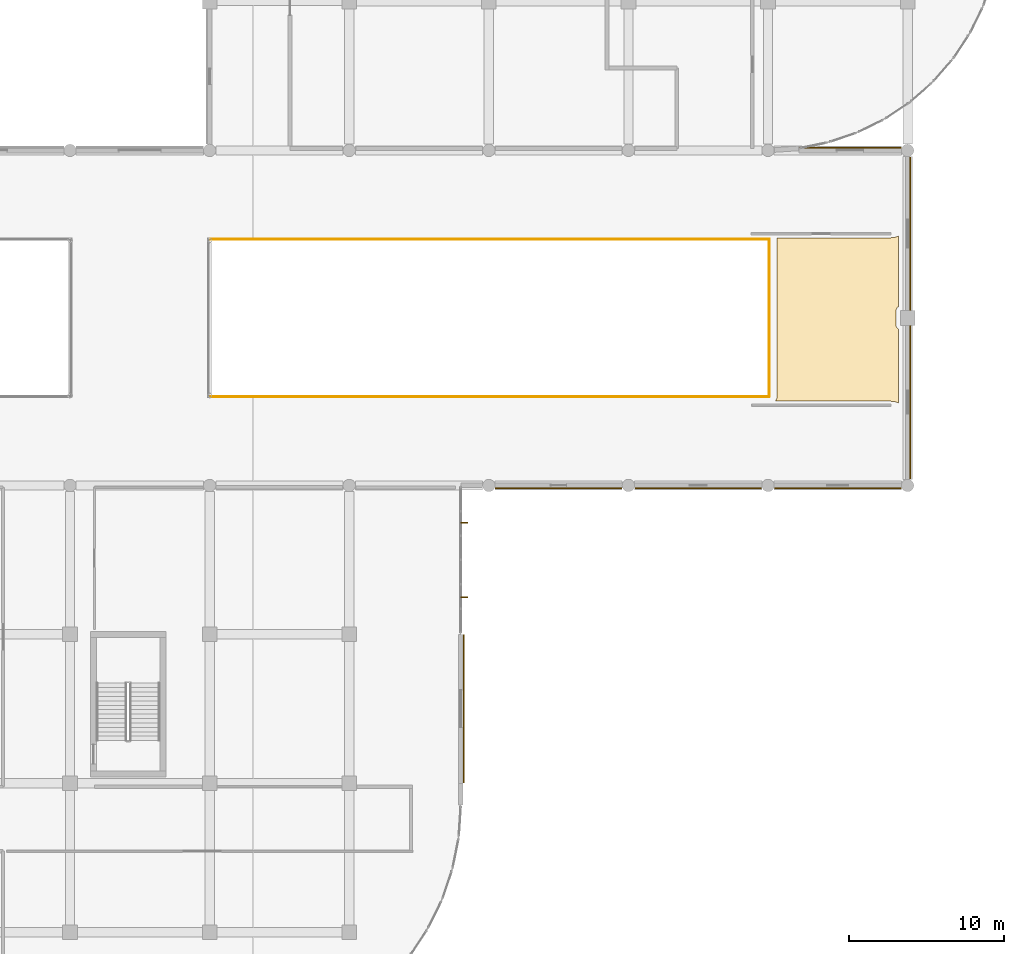
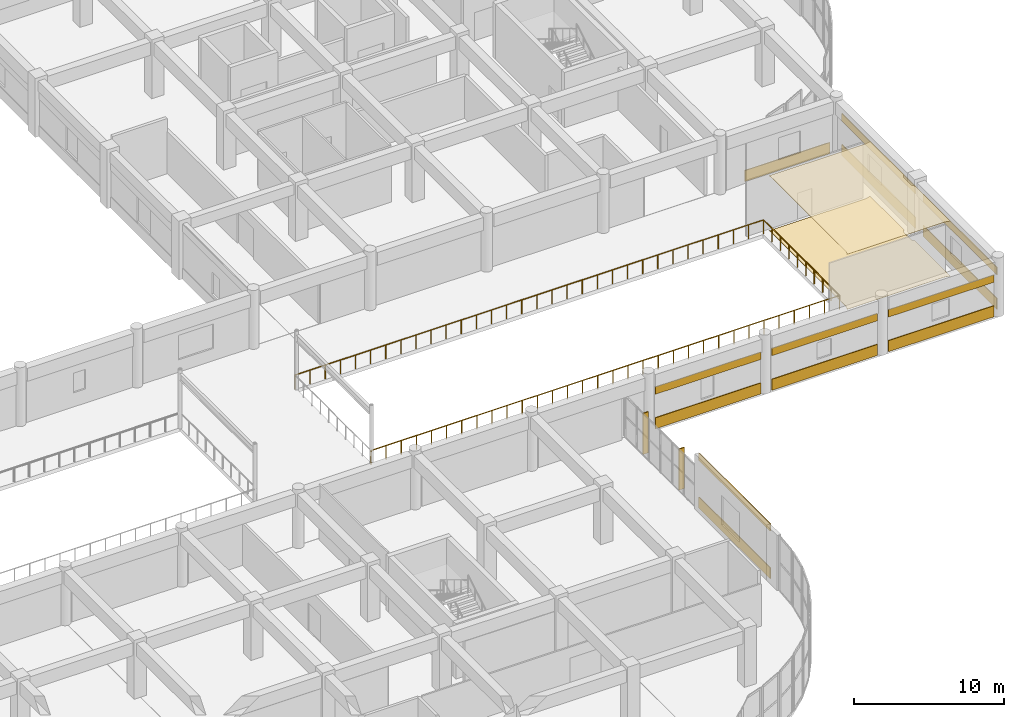
# One storey, part 83 of 86: 15 coverings, 3 railings, 2 shading devices.
"""IFC4 building model written with IfcOpenShell, lengths in metres."""

import ifcopenshell
import ifcopenshell.guid

model = None  # the IFC model being written
_history = None  # IfcOwnerHistory: only IFC2X3 demands one
_inside = {}  # id of a spatial element -> (the spatial element, [elements in it])
_under = {}  # id of a project, library or spatial element -> (it, [spatial elements below it])
_declared = {}  # id of a project -> (the project, [libraries it declares])
_typed = {}  # id of a type object -> (the type object, [elements of that type])
_made_of = {}  # id of a material, layer set ... -> (it, [elements and type objects made of it])


def new_model(schema):
    """Start an empty IFC model of exactly this schema.

    Asked for "IFC4X3", IfcOpenShell would pick the latest addendum, in which some entities
    have other attributes; the version numbers below select the first issue.
    IFC2X3 requires an IfcOwnerHistory on every rooted entity: one is made here for all.
    """
    global model, _history
    if schema == "IFC4X3":
        model = ifcopenshell.file(schema_version=(4, 3, 0, 0))
    else:
        model = ifcopenshell.file(schema=schema)
    _inside.clear()
    _under.clear()
    _declared.clear()
    _typed.clear()
    _made_of.clear()
    _history = None
    if model.schema == "IFC2X3":
        org = make("IfcOrganization", Name="unknown")
        user = make(
            "IfcPersonAndOrganization",
            ThePerson=make("IfcPerson", FamilyName="unknown"),
            TheOrganization=org,
        )
        app = make(
            "IfcApplication",
            ApplicationDeveloper=org,
            Version="unknown",
            ApplicationFullName="unknown",
            ApplicationIdentifier="unknown",
        )
        _history = make(
            "IfcOwnerHistory",
            OwningUser=user,
            OwningApplication=app,
            ChangeAction="ADDED",
            CreationDate=0,
        )
    return model


def make(cls, **values):
    """One entity of the class cls with the attributes given. An attribute that is None is left unset."""
    return model.create_entity(
        cls, **{name: value for name, value in values.items() if value is not None}
    )


def rooted(cls, **values):
    """An entity with a GlobalId (a new one), such as an element, a storey or a relation."""
    return make(cls, GlobalId=ifcopenshell.guid.new(), OwnerHistory=_history, **values)


def si_unit(unit_type, name, prefix=None):
    """IfcSIUnit, for example si_unit("LENGTHUNIT", "METRE", prefix="MILLI")."""
    return make("IfcSIUnit", UnitType=unit_type, Prefix=prefix, Name=name)


def assignment(units):
    """IfcUnitAssignment: the units of a project."""
    return None if units is None else make("IfcUnitAssignment", Units=units)


def point(xyz):
    """IfcCartesianPoint."""
    return None if xyz is None else make("IfcCartesianPoint", Coordinates=xyz)


def direction(xyz):
    """IfcDirection."""
    return None if xyz is None else make("IfcDirection", DirectionRatios=xyz)


def frame(location, z_axis=None, x_axis=None):
    """IfcAxis2Placement3D, a coordinate frame: its origin and axes. An axis left out is left unset."""
    return make(
        "IfcAxis2Placement3D",
        Location=point(location),
        Axis=direction(z_axis),
        RefDirection=direction(x_axis),
    )


def frame_2d(location, x_axis=None):
    """IfcAxis2Placement2D, a coordinate frame in the plane: its origin and x axis."""
    return make(
        "IfcAxis2Placement2D", Location=point(location), RefDirection=direction(x_axis)
    )


def origin():
    """The frame at (0, 0, 0) with its axes left unset."""
    return frame((0.0, 0.0, 0.0))


def origin_2d():
    """The frame at (0, 0) in the plane with its x axis left unset."""
    return frame_2d((0.0, 0.0))


def place(relative_to, where):
    """IfcLocalPlacement: puts the frame where relative to a parent placement (None: the world)."""
    return make(
        "IfcLocalPlacement", PlacementRelTo=relative_to, RelativePlacement=where
    )


def context(
    kind, dimensions, precision=None, world=None, true_north=None, identifier=None
):
    """IfcGeometricRepresentationContext, for example the 3D "Model" context."""
    return make(
        "IfcGeometricRepresentationContext",
        ContextIdentifier=identifier,
        ContextType=kind,
        CoordinateSpaceDimension=dimensions,
        Precision=precision,
        WorldCoordinateSystem=world,
        TrueNorth=true_north,
    )


def subcontext(parent, identifier, kind, view, scale=None):
    """IfcGeometricRepresentationSubContext, for example "Body" below "Model"."""
    return make(
        "IfcGeometricRepresentationSubContext",
        ContextIdentifier=identifier,
        ContextType=kind,
        ParentContext=parent,
        TargetScale=scale,
        TargetView=view,
    )


def project(units=None, contexts=None):
    """IfcProject with its units and contexts."""
    return rooted(
        "IfcProject",
        Name="project",
        RepresentationContexts=contexts,
        UnitsInContext=assignment(units),
    )


def spatial(cls, under=None, at=None, **own):
    """A site, building, storey or space (cls), placed at a placement, below another one or the project."""
    s = rooted(cls, ObjectPlacement=at, **own)
    if under is not None:
        _under.setdefault(under.id(), (under, []))[1].append(s)
    return s


def polyline(points):
    """IfcPolyline through the points."""
    return make("IfcPolyline", Points=[point(p) for p in points])


def profile(cls, at=None, kind="AREA", **sizes):
    """A parametric profile (cls). Its sizes go by their IFC names, for example OverallWidth=200.0."""
    return make(cls, ProfileType=kind, Position=at, **sizes)


def rectangle(**sizes):
    """IfcRectangleProfileDef."""
    return profile("IfcRectangleProfileDef", **sizes)


def circle(**sizes):
    """IfcCircleProfileDef."""
    return profile("IfcCircleProfileDef", **sizes)


def outline(outer, holes=None, kind="AREA"):
    """IfcArbitraryClosedProfileDef: a profile drawn as a closed curve; with holes, ...WithVoids."""
    if holes is None:
        return make("IfcArbitraryClosedProfileDef", ProfileType=kind, OuterCurve=outer)
    return make(
        "IfcArbitraryProfileDefWithVoids",
        ProfileType=kind,
        OuterCurve=outer,
        InnerCurves=holes,
    )


def extrude(swept, where, along, depth):
    """IfcExtrudedAreaSolid: the profile swept, set in the frame where, extruded along a direction by depth."""
    return make(
        "IfcExtrudedAreaSolid",
        SweptArea=swept,
        Position=where,
        ExtrudedDirection=direction(along),
        Depth=depth,
    )


def shape(context_of_items, identifier, shape_type, items):
    """IfcShapeRepresentation: the items that make up one representation, for example the "Body"."""
    return make(
        "IfcShapeRepresentation",
        ContextOfItems=context_of_items,
        RepresentationIdentifier=identifier,
        RepresentationType=shape_type,
        Items=items,
    )


def material(Name=None, Category=None):
    """IfcMaterial."""
    return make("IfcMaterial", Name=Name, Category=Category)


def layer(
    of_material, thickness, ventilated=None, Name=None, Category=None, Priority=None
):
    """IfcMaterialLayer: one layer of a wall or slab, of a material (None: an air gap)."""
    return make(
        "IfcMaterialLayer",
        Material=of_material,
        LayerThickness=thickness,
        IsVentilated=ventilated,
        Name=Name,
        Category=Category,
        Priority=Priority,
    )


def layer_set(layers, Name=None):
    """IfcMaterialLayerSet."""
    return make("IfcMaterialLayerSet", MaterialLayers=layers, LayerSetName=Name)


def made_of(thing, what):
    """Note that an element or type object is made of a material, layer set ...; save() writes the relation."""
    if what is not None:
        _made_of.setdefault(what.id(), (what, []))[1].append(thing)
    return thing


def type_object(cls, material=None, **own):
    """A type object (cls), such as IfcWallType, which elements share."""
    return made_of(rooted(cls, **own), material)


def element(
    cls,
    number,
    at=None,
    inside=None,
    cuts=None,
    type_object=None,
    material=None,
    context=None,
    identifier="Body",
    shape_type=None,
    held_by="IfcProductDefinitionShape",
    body=None,
    shapes=None,
    **own,
):
    """One element of the class cls, such as IfcWall. Its Tag is "e" and its number.

    at: its placement. inside: the storey or other place that contains it. cuts: it is an
    opening in that element (IfcRelVoidsElement). A single representation is given by context,
    identifier, shape_type and body (its items); several are given by shapes. held_by: the class
    of the entity that holds the representations. save() writes the other relations.
    """
    e = rooted(cls, Tag="e%d" % number, ObjectPlacement=at, **own)
    if body is not None:
        shapes = [shape(context, identifier, shape_type, body)]
    if shapes is not None:
        e.Representation = make(held_by, Representations=shapes)
    if inside is not None:
        _inside.setdefault(inside.id(), (inside, []))[1].append(e)
    if cuts is not None:
        rooted(
            "IfcRelVoidsElement", RelatingBuildingElement=cuts, RelatedOpeningElement=e
        )
    if type_object is not None:
        _typed.setdefault(type_object.id(), (type_object, []))[1].append(e)
    return made_of(e, material)


def aggregate(whole, parts):
    """IfcRelAggregates: a whole, such as a stair, and the parts it consists of."""
    return rooted("IfcRelAggregates", RelatingObject=whole, RelatedObjects=parts)


def save(model, path):
    """Write the relations noted so far, then the file.

    IfcRelAggregates (storeys below a building ...), IfcRelContainedInSpatialStructure (elements
    in a storey), IfcRelDefinesByType, IfcRelAssociatesMaterial and IfcRelDeclares: one each for
    every whole, place, type object, material and project.
    """
    for whole, parts in _under.values():
        aggregate(whole, parts)
    for where, things in _inside.values():
        rooted(
            "IfcRelContainedInSpatialStructure",
            RelatedElements=things,
            RelatingStructure=where,
        )
    for kind, things in _typed.values():
        rooted("IfcRelDefinesByType", RelatedObjects=things, RelatingType=kind)
    for what, things in _made_of.values():
        rooted("IfcRelAssociatesMaterial", RelatedObjects=things, RelatingMaterial=what)
    for by, libraries in _declared.values():
        rooted("IfcRelDeclares", RelatingContext=by, RelatedDefinitions=libraries)
    model.write(path)


model = new_model("IFC4")

# Units and contexts
model_context = context("Model", 3, precision=1e-05, world=origin(), true_north=direction((0.0, 1.0)))
body_context = subcontext(model_context, "Body", "Model", "MODEL_VIEW")
ifc_project = project(units=[si_unit("LENGTHUNIT", "METRE"), si_unit("AREAUNIT", "SQUARE_METRE"), si_unit("VOLUMEUNIT", "CUBIC_METRE"), si_unit("PLANEANGLEUNIT", "RADIAN"), si_unit("MASSUNIT", "GRAM", prefix="KILO")], contexts=[model_context])

# Site, building, storey
site_placement = place(None, origin())
site = spatial("IfcSite", under=ifc_project, at=site_placement, CompositionType="ELEMENT")
building_placement = place(site_placement, origin())
building = spatial("IfcBuilding", under=site, at=building_placement, Name="Cendralis Terraced Arcade", CompositionType="ELEMENT")
storey_placement = place(building_placement, frame((0.0, 0.0, 5.39990234375)))
storey = spatial("IfcBuildingStorey", under=building, at=storey_placement, Name="L01", CompositionType="ELEMENT", Elevation=5.39990234375)

# Coverings
ifc_material_1 = material(Name="Warm Andean oak timber", Category="wood")
ifc_layer_1 = layer(ifc_material_1, 0.034912109375, Name="COV-CEIL-OAK-35")
ifc_layer_set_1 = layer_set([ifc_layer_1], Name="Warm Andean oak timber")
covering_type_1 = type_object("IfcCoveringType", Name="COV-CEIL-OAK-35", PredefinedType="CEILING", material=ifc_layer_set_1)
covering_1_placement = place(storey_placement, frame((0.0, 0.0, 4.47021484375)))
element("IfcCovering", 1, at=covering_1_placement, inside=storey, type_object=covering_type_1, Name="Acoustic Soffit Ceiling L01-055", PredefinedType="CEILING", context=body_context, shape_type="SweptSolid", body=[
    extrude(outline(polyline([(165.1201171875, 54.3701171875), (165.123046875, 54.3701171875), (165.1259765625, 54.3701171875), (165.129150390625, 54.3701171875), (165.135009765625, 54.370361328125), (165.137939453125, 54.370361328125), (165.14111328125, 54.37060546875), (165.14404296875, 54.37060546875), (165.204833984375, 54.37353515625), (165.2109375, 54.3740234375), (165.216796875, 54.37451171875), (165.222900390625, 54.375), (165.234619140625, 54.376220703125), (165.24072265625, 54.376708984375), (165.24658203125, 54.37744140625), (165.252685546875, 54.37841796875), (165.31298828125, 54.38720703125), (165.31884765625, 54.38818359375), (165.32470703125, 54.38916015625), (165.330810546875, 54.390380859375), (165.34228515625, 54.392578125), (165.348388671875, 54.393798828125), (165.35400390625, 54.395263671875), (165.360107421875, 54.396484375), (165.4189453125, 54.411376953125), (165.425048828125, 54.412841796875), (165.4306640625, 54.41455078125), (165.4365234375, 54.416259765625), (165.44775390625, 54.419677734375), (165.45361328125, 54.42138671875), (165.459228515625, 54.42333984375), (165.465087890625, 54.42529296875), (165.522216796875, 54.44580078125), (165.528076171875, 54.447998046875), (165.53369140625, 54.4501953125), (165.539306640625, 54.452392578125), (165.55029296875, 54.456787109375), (165.555908203125, 54.459228515625), (165.561279296875, 54.461669921875), (165.56689453125, 54.464111328125), (165.610107421875, 54.484619140625), (165.610107421875, 49.919189453125), (165.608642578125, 49.918701171875), (165.5869140625, 49.906982421875), (165.58544921875, 49.906005859375), (165.56494140625, 49.892333984375), (165.5634765625, 49.891357421875), (165.54443359375, 49.875732421875), (165.54296875, 49.87451171875), (165.525634765625, 49.85693359375), (165.5244140625, 49.855712890625), (165.5087890625, 49.836669921875), (165.507568359375, 49.8349609375), (165.493896484375, 49.814697265625), (165.492919921875, 49.81298828125), (165.4814453125, 49.791259765625), (165.48046875, 49.78955078125), (165.47119140625, 49.766845703125), (165.470458984375, 49.764892578125), (165.46337890625, 49.74169921875), (165.462890625, 49.739501953125), (165.4580078125, 49.715576171875), (165.457763671875, 49.713623046875), (165.455322265625, 49.689208984375), (165.455322265625, 49.687255859375), (165.455078125, 49.675048828125), (165.455078125, 48.72509765625), (165.455322265625, 48.712646484375), (165.455322265625, 48.710693359375), (165.457763671875, 48.686279296875), (165.4580078125, 48.684326171875), (165.462890625, 48.660400390625), (165.46337890625, 48.658447265625), (165.470458984375, 48.635009765625), (165.47119140625, 48.633056640625), (165.48046875, 48.610595703125), (165.4814453125, 48.608642578125), (165.492919921875, 48.5869140625), (165.493896484375, 48.58544921875), (165.507568359375, 48.56494140625), (165.5087890625, 48.5634765625), (165.5244140625, 48.54443359375), (165.525634765625, 48.54296875), (165.54296875, 48.525634765625), (165.54443359375, 48.5244140625), (165.5634765625, 48.5087890625), (165.56494140625, 48.507568359375), (165.58544921875, 48.493896484375), (165.5869140625, 48.492919921875), (165.608642578125, 48.4814453125), (165.610107421875, 48.480712890625), (165.610107421875, 43.71533203125), (165.56689453125, 43.73583984375), (165.561279296875, 43.73828125), (165.555908203125, 43.74072265625), (165.55029296875, 43.7431640625), (165.539306640625, 43.74755859375), (165.53369140625, 43.75), (165.528076171875, 43.751953125), (165.522216796875, 43.754150390625), (165.465087890625, 43.774658203125), (165.459228515625, 43.776611328125), (165.45361328125, 43.778564453125), (165.44775390625, 43.780517578125), (165.4365234375, 43.78369140625), (165.4306640625, 43.785400390625), (165.425048828125, 43.787109375), (165.4189453125, 43.78857421875), (165.360107421875, 43.803466796875), (165.35400390625, 43.8046875), (165.348388671875, 43.80615234375), (165.34228515625, 43.807373046875), (165.330810546875, 43.809814453125), (165.32470703125, 43.810791015625), (165.31884765625, 43.811767578125), (165.31298828125, 43.812744140625), (165.252685546875, 43.82177734375), (165.24658203125, 43.822509765625), (165.24072265625, 43.8232421875), (165.234619140625, 43.823974609375), (165.222900390625, 43.8251953125), (165.216796875, 43.82568359375), (165.2109375, 43.825927734375), (165.204833984375, 43.826416015625), (165.14404296875, 43.829345703125), (165.14111328125, 43.82958984375), (165.137939453125, 43.82958984375), (165.135009765625, 43.82958984375), (165.129150390625, 43.829833984375), (165.1259765625, 43.829833984375), (165.123046875, 43.830078125), (165.1201171875, 43.830078125), (157.659423828125, 43.830078125), (157.65966796875, 43.830322265625), (157.667236328125, 43.840087890625), (157.68017578125, 43.857421875), (157.687255859375, 43.867431640625), (157.693603515625, 43.877197265625), (157.7001953125, 43.8876953125), (157.71142578125, 43.906005859375), (157.71728515625, 43.916748046875), (157.722900390625, 43.927001953125), (157.728515625, 43.93798828125), (157.73779296875, 43.95751953125), (157.74267578125, 43.96875), (157.747314453125, 43.979736328125), (157.751708984375, 43.9912109375), (157.7587890625, 44.011474609375), (157.7626953125, 44.023193359375), (157.76611328125, 44.034423828125), (157.769287109375, 44.046142578125), (157.774658203125, 44.067138671875), (157.77734375, 44.0791015625), (157.77978515625, 44.0908203125), (157.78173828125, 44.102783203125), (157.784912109375, 44.1240234375), (157.786376953125, 44.13623046875), (157.78759765625, 44.14794921875), (157.78857421875, 44.160400390625), (157.78955078125, 44.181884765625), (157.789794921875, 44.18798828125), (157.789794921875, 44.19384765625), (157.7900390625, 44.199951171875), (157.7900390625, 54.199951171875), (157.789794921875, 54.2060546875), (157.789794921875, 54.2119140625), (157.78955078125, 54.21826171875), (157.78857421875, 54.23974609375), (157.78759765625, 54.251953125), (157.786376953125, 54.263671875), (157.784912109375, 54.27587890625), (157.78173828125, 54.297119140625), (157.77978515625, 54.309326171875), (157.77734375, 54.32080078125), (157.774658203125, 54.332763671875), (157.769287109375, 54.353759765625), (157.76611328125, 54.365478515625), (157.764892578125, 54.3701171875), (165.1201171875, 54.3701171875)])), origin(), (0.0, 0.0, 1.0), 0.034912109375),
])
ifc_material_2 = material(Name="Precast concrete f'c 40 MPa", Category="concrete")
ifc_layer_2 = layer(ifc_material_2, 0.06494140625, Name="COV-CLAD-GRC-65")
ifc_layer_set_2 = layer_set([ifc_layer_2], Name="Precast concrete f'c 40 MPa")
covering_type_2 = type_object("IfcCoveringType", Name="COV-CLAD-GRC-65", PredefinedType="CLADDING", material=ifc_layer_set_2)
covering_2_placement = place(storey_placement, frame((162.494873046875, 60.179931640625, 0.000244140625), z_axis=(0.0, 0.0, 1.0), x_axis=(1.0, 0.0, 0.0)))
element("IfcCovering", 2, at=covering_2_placement, inside=storey, type_object=covering_type_2, Name="Banded Precast Stone Spandrel Cladding L01-157", PredefinedType="CLADDING", context=body_context, shape_type="SweptSolid", body=[
    extrude(rectangle(XDim=6.55419921875, YDim=0.06494140625, at=origin_2d()), origin(), (0.0, 0.0, 1.0), 0.89990234375),
])
covering_3_placement = place(storey_placement, frame((166.3798828125, 54.637451171875, 0.000244140625), z_axis=(0.0, 0.0, 1.0), x_axis=(0.0, -1.0, 0.0)))
element("IfcCovering", 3, at=covering_3_placement, inside=storey, type_object=covering_type_2, Name="Banded Precast Stone Spandrel Cladding L01-159", PredefinedType="CLADDING", context=body_context, shape_type="SweptSolid", body=[
    extrude(rectangle(XDim=9.868896484375, YDim=0.06494140625, at=origin_2d()), origin(), (0.0, 0.0, 1.0), 0.89990234375),
])
covering_4_placement = place(storey_placement, frame((166.3798828125, 54.637451171875, 2.824951171875), z_axis=(0.0, 0.0, 1.0), x_axis=(0.0, -1.0, 0.0)))
element("IfcCovering", 4, at=covering_4_placement, inside=storey, type_object=covering_type_2, Name="Banded Precast Stone Lintel Cladding L01-160", PredefinedType="CLADDING", context=body_context, shape_type="SweptSolid", body=[
    extrude(rectangle(XDim=9.868896484375, YDim=0.06494140625, at=origin_2d()), origin(), (0.0, 0.0, 1.0), 0.60009765625),
])
covering_5_placement = place(storey_placement, frame((166.3798828125, 43.762451171875, 0.000244140625), z_axis=(0.0, 0.0, 1.0), x_axis=(0.0, -1.0, 0.0)))
element("IfcCovering", 5, at=covering_5_placement, inside=storey, type_object=covering_type_2, Name="Banded Precast Stone Spandrel Cladding L01-161", PredefinedType="CLADDING", context=body_context, shape_type="SweptSolid", body=[
    extrude(rectangle(XDim=9.868896484375, YDim=0.06494140625, at=origin_2d()), origin(), (0.0, 0.0, 1.0), 0.89990234375),
])
covering_6_placement = place(storey_placement, frame((166.3798828125, 43.762451171875, 2.824951171875), z_axis=(0.0, 0.0, 1.0), x_axis=(0.0, -1.0, 0.0)))
element("IfcCovering", 6, at=covering_6_placement, inside=storey, type_object=covering_type_2, Name="Banded Precast Stone Lintel Cladding L01-162", PredefinedType="CLADDING", context=body_context, shape_type="SweptSolid", body=[
    extrude(rectangle(XDim=9.868896484375, YDim=0.06494140625, at=origin_2d()), origin(), (0.0, 0.0, 1.0), 0.60009765625),
])
covering_7_placement = place(storey_placement, frame((161.699951171875, 38.219970703125, 0.000244140625), z_axis=(0.0, 0.0, 1.0), x_axis=(-1.0, 0.0, 0.0)))
element("IfcCovering", 7, at=covering_7_placement, inside=storey, type_object=covering_type_2, Name="Banded Precast Stone Spandrel Cladding L01-163", PredefinedType="CLADDING", context=body_context, shape_type="SweptSolid", body=[
    extrude(rectangle(XDim=8.14404296875, YDim=0.06494140625, at=origin_2d()), origin(), (0.0, 0.0, 1.0), 0.89990234375),
])
covering_8_placement = place(storey_placement, frame((161.699951171875, 38.219970703125, 2.824951171875), z_axis=(0.0, 0.0, 1.0), x_axis=(-1.0, 0.0, 0.0)))
element("IfcCovering", 8, at=covering_8_placement, inside=storey, type_object=covering_type_2, Name="Banded Precast Stone Lintel Cladding L01-164", PredefinedType="CLADDING", context=body_context, shape_type="SweptSolid", body=[
    extrude(rectangle(XDim=8.14404296875, YDim=0.06494140625, at=origin_2d()), origin(), (0.0, 0.0, 1.0), 0.60009765625),
])
covering_9_placement = place(storey_placement, frame((152.699951171875, 38.219970703125, 0.000244140625), z_axis=(0.0, 0.0, 1.0), x_axis=(-1.0, 0.0, 0.0)))
element("IfcCovering", 9, at=covering_9_placement, inside=storey, type_object=covering_type_2, Name="Banded Precast Stone Spandrel Cladding L01-165", PredefinedType="CLADDING", context=body_context, shape_type="SweptSolid", body=[
    extrude(rectangle(XDim=8.14404296875, YDim=0.06494140625, at=origin_2d()), origin(), (0.0, 0.0, 1.0), 0.89990234375),
])
covering_10_placement = place(storey_placement, frame((152.699951171875, 38.219970703125, 2.824951171875), z_axis=(0.0, 0.0, 1.0), x_axis=(-1.0, 0.0, 0.0)))
element("IfcCovering", 10, at=covering_10_placement, inside=storey, type_object=covering_type_2, Name="Banded Precast Stone Lintel Cladding L01-166", PredefinedType="CLADDING", context=body_context, shape_type="SweptSolid", body=[
    extrude(rectangle(XDim=8.14404296875, YDim=0.06494140625, at=origin_2d()), origin(), (0.0, 0.0, 1.0), 0.60009765625),
])
covering_11_placement = place(storey_placement, frame((143.699951171875, 38.219970703125, 0.000244140625), z_axis=(0.0, 0.0, 1.0), x_axis=(-1.0, 0.0, 0.0)))
element("IfcCovering", 11, at=covering_11_placement, inside=storey, type_object=covering_type_2, Name="Banded Precast Stone Spandrel Cladding L01-167", PredefinedType="CLADDING", context=body_context, shape_type="SweptSolid", body=[
    extrude(rectangle(XDim=8.14404296875, YDim=0.06494140625, at=origin_2d()), origin(), (0.0, 0.0, 1.0), 0.89990234375),
])
covering_12_placement = place(storey_placement, frame((143.699951171875, 38.219970703125, 2.824951171875), z_axis=(0.0, 0.0, 1.0), x_axis=(-1.0, 0.0, 0.0)))
element("IfcCovering", 12, at=covering_12_placement, inside=storey, type_object=covering_type_2, Name="Banded Precast Stone Lintel Cladding L01-168", PredefinedType="CLADDING", context=body_context, shape_type="SweptSolid", body=[
    extrude(rectangle(XDim=8.14404296875, YDim=0.06494140625, at=origin_2d()), origin(), (0.0, 0.0, 1.0), 0.60009765625),
])
covering_13_placement = place(storey_placement, frame((137.574951171875, 24.0, 0.000244140625), z_axis=(0.0, 0.0, 1.0), x_axis=(0.0, -1.0, 0.0)))
element("IfcCovering", 13, at=covering_13_placement, inside=storey, type_object=covering_type_2, Name="Banded Precast Stone Spandrel Cladding L01-169", PredefinedType="CLADDING", context=body_context, shape_type="SweptSolid", body=[
    extrude(rectangle(XDim=9.5400390625, YDim=0.06494140625, at=origin_2d()), origin(), (0.0, 0.0, 1.0), 0.89990234375),
])
covering_14_placement = place(storey_placement, frame((137.574951171875, 24.0, 3.885009765625), z_axis=(0.0, 0.0, 1.0), x_axis=(0.0, -1.0, 0.0)))
element("IfcCovering", 14, at=covering_14_placement, inside=storey, type_object=covering_type_2, Name="Banded Precast Stone Lintel Cladding L01-170", PredefinedType="CLADDING", context=body_context, shape_type="SweptSolid", body=[
    extrude(rectangle(XDim=9.5400390625, YDim=0.06494140625, at=origin_2d()), origin(), (0.0, 0.0, 1.0), 0.60009765625),
])
ifc_layer_3 = layer(ifc_material_1, 0.02197265625, Name="COV-FLR-OAK-22")
ifc_layer_set_3 = layer_set([ifc_layer_3], Name="Warm Andean oak timber")
covering_type_3 = type_object("IfcCoveringType", Name="COV-FLR-OAK-22", PredefinedType="FLOORING", material=ifc_layer_set_3)
covering_15_placement = place(storey_placement, origin())
element("IfcCovering", 15, at=covering_15_placement, inside=storey, type_object=covering_type_3, Name="Interior Finish Flooring L01-055", PredefinedType="FLOORING", context=body_context, shape_type="SweptSolid", body=[
    extrude(outline(polyline([(165.1201171875, 54.3701171875), (165.123046875, 54.3701171875), (165.1259765625, 54.3701171875), (165.129150390625, 54.3701171875), (165.135009765625, 54.370361328125), (165.137939453125, 54.370361328125), (165.14111328125, 54.37060546875), (165.14404296875, 54.37060546875), (165.204833984375, 54.37353515625), (165.2109375, 54.3740234375), (165.216796875, 54.37451171875), (165.222900390625, 54.375), (165.234619140625, 54.376220703125), (165.24072265625, 54.376708984375), (165.24658203125, 54.37744140625), (165.252685546875, 54.37841796875), (165.31298828125, 54.38720703125), (165.31884765625, 54.38818359375), (165.32470703125, 54.38916015625), (165.330810546875, 54.390380859375), (165.34228515625, 54.392578125), (165.348388671875, 54.393798828125), (165.35400390625, 54.395263671875), (165.360107421875, 54.396484375), (165.4189453125, 54.411376953125), (165.425048828125, 54.412841796875), (165.4306640625, 54.41455078125), (165.4365234375, 54.416259765625), (165.44775390625, 54.419677734375), (165.45361328125, 54.42138671875), (165.459228515625, 54.42333984375), (165.465087890625, 54.42529296875), (165.522216796875, 54.44580078125), (165.528076171875, 54.447998046875), (165.53369140625, 54.4501953125), (165.539306640625, 54.452392578125), (165.55029296875, 54.456787109375), (165.555908203125, 54.459228515625), (165.561279296875, 54.461669921875), (165.56689453125, 54.464111328125), (165.610107421875, 54.484619140625), (165.610107421875, 49.919189453125), (165.608642578125, 49.918701171875), (165.5869140625, 49.906982421875), (165.58544921875, 49.906005859375), (165.56494140625, 49.892333984375), (165.5634765625, 49.891357421875), (165.54443359375, 49.875732421875), (165.54296875, 49.87451171875), (165.525634765625, 49.85693359375), (165.5244140625, 49.855712890625), (165.5087890625, 49.836669921875), (165.507568359375, 49.8349609375), (165.493896484375, 49.814697265625), (165.492919921875, 49.81298828125), (165.4814453125, 49.791259765625), (165.48046875, 49.78955078125), (165.47119140625, 49.766845703125), (165.470458984375, 49.764892578125), (165.46337890625, 49.74169921875), (165.462890625, 49.739501953125), (165.4580078125, 49.715576171875), (165.457763671875, 49.713623046875), (165.455322265625, 49.689208984375), (165.455322265625, 49.687255859375), (165.455078125, 49.675048828125), (165.455078125, 48.72509765625), (165.455322265625, 48.712646484375), (165.455322265625, 48.710693359375), (165.457763671875, 48.686279296875), (165.4580078125, 48.684326171875), (165.462890625, 48.660400390625), (165.46337890625, 48.658447265625), (165.470458984375, 48.635009765625), (165.47119140625, 48.633056640625), (165.48046875, 48.610595703125), (165.4814453125, 48.608642578125), (165.492919921875, 48.5869140625), (165.493896484375, 48.58544921875), (165.507568359375, 48.56494140625), (165.5087890625, 48.5634765625), (165.5244140625, 48.54443359375), (165.525634765625, 48.54296875), (165.54296875, 48.525634765625), (165.54443359375, 48.5244140625), (165.5634765625, 48.5087890625), (165.56494140625, 48.507568359375), (165.58544921875, 48.493896484375), (165.5869140625, 48.492919921875), (165.608642578125, 48.4814453125), (165.610107421875, 48.480712890625), (165.610107421875, 43.71533203125), (165.56689453125, 43.73583984375), (165.561279296875, 43.73828125), (165.555908203125, 43.74072265625), (165.55029296875, 43.7431640625), (165.539306640625, 43.74755859375), (165.53369140625, 43.75), (165.528076171875, 43.751953125), (165.522216796875, 43.754150390625), (165.465087890625, 43.774658203125), (165.459228515625, 43.776611328125), (165.45361328125, 43.778564453125), (165.44775390625, 43.780517578125), (165.4365234375, 43.78369140625), (165.4306640625, 43.785400390625), (165.425048828125, 43.787109375), (165.4189453125, 43.78857421875), (165.360107421875, 43.803466796875), (165.35400390625, 43.8046875), (165.348388671875, 43.80615234375), (165.34228515625, 43.807373046875), (165.330810546875, 43.809814453125), (165.32470703125, 43.810791015625), (165.31884765625, 43.811767578125), (165.31298828125, 43.812744140625), (165.252685546875, 43.82177734375), (165.24658203125, 43.822509765625), (165.24072265625, 43.8232421875), (165.234619140625, 43.823974609375), (165.222900390625, 43.8251953125), (165.216796875, 43.82568359375), (165.2109375, 43.825927734375), (165.204833984375, 43.826416015625), (165.14404296875, 43.829345703125), (165.14111328125, 43.82958984375), (165.137939453125, 43.82958984375), (165.135009765625, 43.82958984375), (165.129150390625, 43.829833984375), (165.1259765625, 43.829833984375), (165.123046875, 43.830078125), (165.1201171875, 43.830078125), (157.659423828125, 43.830078125), (157.65966796875, 43.830322265625), (157.667236328125, 43.840087890625), (157.68017578125, 43.857421875), (157.687255859375, 43.867431640625), (157.693603515625, 43.877197265625), (157.7001953125, 43.8876953125), (157.71142578125, 43.906005859375), (157.71728515625, 43.916748046875), (157.722900390625, 43.927001953125), (157.728515625, 43.93798828125), (157.73779296875, 43.95751953125), (157.74267578125, 43.96875), (157.747314453125, 43.979736328125), (157.751708984375, 43.9912109375), (157.7587890625, 44.011474609375), (157.7626953125, 44.023193359375), (157.76611328125, 44.034423828125), (157.769287109375, 44.046142578125), (157.774658203125, 44.067138671875), (157.77734375, 44.0791015625), (157.77978515625, 44.0908203125), (157.78173828125, 44.102783203125), (157.784912109375, 44.1240234375), (157.786376953125, 44.13623046875), (157.78759765625, 44.14794921875), (157.78857421875, 44.160400390625), (157.78955078125, 44.181884765625), (157.789794921875, 44.18798828125), (157.789794921875, 44.19384765625), (157.7900390625, 44.199951171875), (157.7900390625, 54.199951171875), (157.789794921875, 54.2060546875), (157.789794921875, 54.2119140625), (157.78955078125, 54.21826171875), (157.78857421875, 54.23974609375), (157.78759765625, 54.251953125), (157.786376953125, 54.263671875), (157.784912109375, 54.27587890625), (157.78173828125, 54.297119140625), (157.77978515625, 54.309326171875), (157.77734375, 54.32080078125), (157.774658203125, 54.332763671875), (157.769287109375, 54.353759765625), (157.76611328125, 54.365478515625), (157.764892578125, 54.3701171875), (165.1201171875, 54.3701171875)])), origin(), (0.0, 0.0, 1.0), 0.022216796875),
])

# Railings
ifc_material_3 = material(Name="Brushed stainless steel AISI 316", Category="steel")
railing_type = type_object("IfcRailingType", Name="RL-VOID-BAL-1150", PredefinedType="BALUSTRADE", material=ifc_material_3)
railing_1_placement = place(storey_placement, frame((121.1201171875, 44.1201171875, 0.0)))
element("IfcRailing", 16, at=railing_1_placement, inside=storey, type_object=railing_type, Name="Atrium and Arcade Gallery Balustrade L01-044", PredefinedType="BALUSTRADE", context=body_context, shape_type="SweptSolid", body=[
    extrude(circle(Radius=0.02392578125, at=origin_2d()), frame((0.0, 0.0, 1.1259765625), z_axis=(1.0, 0.0, 0.0), x_axis=(0.0, 1.0, 0.0)), (0.0, 0.0, 1.0), 36.159912109375),
    extrude(circle(Radius=0.02099609375, at=origin_2d()), origin(), (0.0, 0.0, 1.0), 1.101806640625),
    extrude(circle(Radius=0.02099609375, at=origin_2d()), frame((1.16650390625, 0.0, 0.0)), (0.0, 0.0, 1.0), 1.101806640625),
    extrude(circle(Radius=0.02099609375, at=origin_2d()), frame((2.3330078125, 0.0, 0.0)), (0.0, 0.0, 1.0), 1.101806640625),
    extrude(circle(Radius=0.02099609375, at=origin_2d()), frame((3.499267578125, 0.0, 0.0)), (0.0, 0.0, 1.0), 1.101806640625),
    extrude(circle(Radius=0.02099609375, at=origin_2d()), frame((4.665771484375, 0.0, 0.0)), (0.0, 0.0, 1.0), 1.101806640625),
    extrude(circle(Radius=0.02099609375, at=origin_2d()), frame((5.832275390625, 0.0, 0.0)), (0.0, 0.0, 1.0), 1.101806640625),
    extrude(circle(Radius=0.02099609375, at=origin_2d()), frame((6.998779296875, 0.0, 0.0)), (0.0, 0.0, 1.0), 1.101806640625),
    extrude(circle(Radius=0.02099609375, at=origin_2d()), frame((8.1650390625, 0.0, 0.0)), (0.0, 0.0, 1.0), 1.101806640625),
    extrude(circle(Radius=0.02099609375, at=origin_2d()), frame((9.33154296875, 0.0, 0.0)), (0.0, 0.0, 1.0), 1.101806640625),
    extrude(circle(Radius=0.02099609375, at=origin_2d()), frame((10.498046875, 0.0, 0.0)), (0.0, 0.0, 1.0), 1.101806640625),
    extrude(circle(Radius=0.02099609375, at=origin_2d()), frame((11.66455078125, 0.0, 0.0)), (0.0, 0.0, 1.0), 1.101806640625),
    extrude(circle(Radius=0.02099609375, at=origin_2d()), frame((12.8310546875, 0.0, 0.0)), (0.0, 0.0, 1.0), 1.101806640625),
    extrude(circle(Radius=0.02099609375, at=origin_2d()), frame((13.997314453125, 0.0, 0.0)), (0.0, 0.0, 1.0), 1.101806640625),
    extrude(circle(Radius=0.02099609375, at=origin_2d()), frame((15.163818359375, 0.0, 0.0)), (0.0, 0.0, 1.0), 1.101806640625),
    extrude(circle(Radius=0.02099609375, at=origin_2d()), frame((16.330322265625, 0.0, 0.0)), (0.0, 0.0, 1.0), 1.101806640625),
    extrude(circle(Radius=0.02099609375, at=origin_2d()), frame((17.496826171875, 0.0, 0.0)), (0.0, 0.0, 1.0), 1.101806640625),
    extrude(circle(Radius=0.02099609375, at=origin_2d()), frame((18.6630859375, 0.0, 0.0)), (0.0, 0.0, 1.0), 1.101806640625),
    extrude(circle(Radius=0.02099609375, at=origin_2d()), frame((19.82958984375, 0.0, 0.0)), (0.0, 0.0, 1.0), 1.101806640625),
    extrude(circle(Radius=0.02099609375, at=origin_2d()), frame((20.99609375, 0.0, 0.0)), (0.0, 0.0, 1.0), 1.101806640625),
    extrude(circle(Radius=0.02099609375, at=origin_2d()), frame((22.16259765625, 0.0, 0.0)), (0.0, 0.0, 1.0), 1.101806640625),
    extrude(circle(Radius=0.02099609375, at=origin_2d()), frame((23.328857421875, 0.0, 0.0)), (0.0, 0.0, 1.0), 1.101806640625),
    extrude(circle(Radius=0.02099609375, at=origin_2d()), frame((24.495361328125, 0.0, 0.0)), (0.0, 0.0, 1.0), 1.101806640625),
    extrude(circle(Radius=0.02099609375, at=origin_2d()), frame((25.661865234375, 0.0, 0.0)), (0.0, 0.0, 1.0), 1.101806640625),
    extrude(circle(Radius=0.02099609375, at=origin_2d()), frame((26.828369140625, 0.0, 0.0)), (0.0, 0.0, 1.0), 1.101806640625),
    extrude(circle(Radius=0.02099609375, at=origin_2d()), frame((27.994873046875, 0.0, 0.0)), (0.0, 0.0, 1.0), 1.101806640625),
    extrude(circle(Radius=0.02099609375, at=origin_2d()), frame((29.1611328125, 0.0, 0.0)), (0.0, 0.0, 1.0), 1.101806640625),
    extrude(circle(Radius=0.02099609375, at=origin_2d()), frame((30.32763671875, 0.0, 0.0)), (0.0, 0.0, 1.0), 1.101806640625),
    extrude(circle(Radius=0.02099609375, at=origin_2d()), frame((31.494140625, 0.0, 0.0)), (0.0, 0.0, 1.0), 1.101806640625),
    extrude(circle(Radius=0.02099609375, at=origin_2d()), frame((32.66064453125, 0.0, 0.0)), (0.0, 0.0, 1.0), 1.101806640625),
    extrude(circle(Radius=0.02099609375, at=origin_2d()), frame((33.826904296875, 0.0, 0.0)), (0.0, 0.0, 1.0), 1.101806640625),
    extrude(circle(Radius=0.02099609375, at=origin_2d()), frame((34.993408203125, 0.0, 0.0)), (0.0, 0.0, 1.0), 1.101806640625),
    extrude(circle(Radius=0.02099609375, at=origin_2d()), frame((36.159912109375, 0.0, 0.0)), (0.0, 0.0, 1.0), 1.101806640625),
])
railing_2_placement = place(storey_placement, frame((157.280029296875, 44.1201171875, 0.0)))
element("IfcRailing", 17, at=railing_2_placement, inside=storey, type_object=railing_type, Name="Atrium and Arcade Gallery Balustrade L01-045", PredefinedType="BALUSTRADE", context=body_context, shape_type="SweptSolid", body=[
    extrude(circle(Radius=0.02392578125, at=origin_2d()), frame((0.0, 0.0, 1.1259765625), z_axis=(0.0, 1.0, 0.0), x_axis=(-1.0, 0.0, 0.0)), (0.0, 0.0, 1.0), 10.159912109375),
    extrude(circle(Radius=0.02099609375, at=origin_2d()), origin(), (0.0, 0.0, 1.0), 1.101806640625),
    extrude(circle(Radius=0.02099609375, at=origin_2d()), frame((0.0, 1.12890625, 0.0)), (0.0, 0.0, 1.0), 1.101806640625),
    extrude(circle(Radius=0.02099609375, at=origin_2d()), frame((0.0, 2.2578125, 0.0)), (0.0, 0.0, 1.0), 1.101806640625),
    extrude(circle(Radius=0.02099609375, at=origin_2d()), frame((0.0, 3.38671875, 0.0)), (0.0, 0.0, 1.0), 1.101806640625),
    extrude(circle(Radius=0.02099609375, at=origin_2d()), frame((0.0, 4.515625, 0.0)), (0.0, 0.0, 1.0), 1.101806640625),
    extrude(circle(Radius=0.02099609375, at=origin_2d()), frame((0.0, 5.644287109375, 0.0)), (0.0, 0.0, 1.0), 1.101806640625),
    extrude(circle(Radius=0.02099609375, at=origin_2d()), frame((0.0, 6.773193359375, 0.0)), (0.0, 0.0, 1.0), 1.101806640625),
    extrude(circle(Radius=0.02099609375, at=origin_2d()), frame((0.0, 7.902099609375, 0.0)), (0.0, 0.0, 1.0), 1.101806640625),
    extrude(circle(Radius=0.02099609375, at=origin_2d()), frame((0.0, 9.031005859375, 0.0)), (0.0, 0.0, 1.0), 1.101806640625),
    extrude(circle(Radius=0.02099609375, at=origin_2d()), frame((0.0, 10.159912109375, 0.0)), (0.0, 0.0, 1.0), 1.101806640625),
])
railing_3_placement = place(storey_placement, frame((157.280029296875, 54.280029296875, 0.0)))
element("IfcRailing", 18, at=railing_3_placement, inside=storey, type_object=railing_type, Name="Atrium and Arcade Gallery Balustrade L01-046", PredefinedType="BALUSTRADE", context=body_context, shape_type="SweptSolid", body=[
    extrude(circle(Radius=0.02392578125, at=origin_2d()), frame((0.0, 0.0, 1.1259765625), z_axis=(-1.0, 0.0, 0.0), x_axis=(0.0, -1.0, 0.0)), (0.0, 0.0, 1.0), 36.159912109375),
    extrude(circle(Radius=0.02099609375, at=origin_2d()), origin(), (0.0, 0.0, 1.0), 1.101806640625),
    extrude(circle(Radius=0.02099609375, at=origin_2d()), frame((-1.16650390625, 0.0, 0.0)), (0.0, 0.0, 1.0), 1.101806640625),
    extrude(circle(Radius=0.02099609375, at=origin_2d()), frame((-2.3330078125, 0.0, 0.0)), (0.0, 0.0, 1.0), 1.101806640625),
    extrude(circle(Radius=0.02099609375, at=origin_2d()), frame((-3.499267578125, 0.0, 0.0)), (0.0, 0.0, 1.0), 1.101806640625),
    extrude(circle(Radius=0.02099609375, at=origin_2d()), frame((-4.665771484375, 0.0, 0.0)), (0.0, 0.0, 1.0), 1.101806640625),
    extrude(circle(Radius=0.02099609375, at=origin_2d()), frame((-5.832275390625, 0.0, 0.0)), (0.0, 0.0, 1.0), 1.101806640625),
    extrude(circle(Radius=0.02099609375, at=origin_2d()), frame((-6.998779296875, 0.0, 0.0)), (0.0, 0.0, 1.0), 1.101806640625),
    extrude(circle(Radius=0.02099609375, at=origin_2d()), frame((-8.1650390625, 0.0, 0.0)), (0.0, 0.0, 1.0), 1.101806640625),
    extrude(circle(Radius=0.02099609375, at=origin_2d()), frame((-9.33154296875, 0.0, 0.0)), (0.0, 0.0, 1.0), 1.101806640625),
    extrude(circle(Radius=0.02099609375, at=origin_2d()), frame((-10.498046875, 0.0, 0.0)), (0.0, 0.0, 1.0), 1.101806640625),
    extrude(circle(Radius=0.02099609375, at=origin_2d()), frame((-11.66455078125, 0.0, 0.0)), (0.0, 0.0, 1.0), 1.101806640625),
    extrude(circle(Radius=0.02099609375, at=origin_2d()), frame((-12.8310546875, 0.0, 0.0)), (0.0, 0.0, 1.0), 1.101806640625),
    extrude(circle(Radius=0.02099609375, at=origin_2d()), frame((-13.997314453125, 0.0, 0.0)), (0.0, 0.0, 1.0), 1.101806640625),
    extrude(circle(Radius=0.02099609375, at=origin_2d()), frame((-15.163818359375, 0.0, 0.0)), (0.0, 0.0, 1.0), 1.101806640625),
    extrude(circle(Radius=0.02099609375, at=origin_2d()), frame((-16.330322265625, 0.0, 0.0)), (0.0, 0.0, 1.0), 1.101806640625),
    extrude(circle(Radius=0.02099609375, at=origin_2d()), frame((-17.496826171875, 0.0, 0.0)), (0.0, 0.0, 1.0), 1.101806640625),
    extrude(circle(Radius=0.02099609375, at=origin_2d()), frame((-18.6630859375, 0.0, 0.0)), (0.0, 0.0, 1.0), 1.101806640625),
    extrude(circle(Radius=0.02099609375, at=origin_2d()), frame((-19.82958984375, 0.0, 0.0)), (0.0, 0.0, 1.0), 1.101806640625),
    extrude(circle(Radius=0.02099609375, at=origin_2d()), frame((-20.99609375, 0.0, 0.0)), (0.0, 0.0, 1.0), 1.101806640625),
    extrude(circle(Radius=0.02099609375, at=origin_2d()), frame((-22.16259765625, 0.0, 0.0)), (0.0, 0.0, 1.0), 1.101806640625),
    extrude(circle(Radius=0.02099609375, at=origin_2d()), frame((-23.328857421875, 0.0, 0.0)), (0.0, 0.0, 1.0), 1.101806640625),
    extrude(circle(Radius=0.02099609375, at=origin_2d()), frame((-24.495361328125, 0.0, 0.0)), (0.0, 0.0, 1.0), 1.101806640625),
    extrude(circle(Radius=0.02099609375, at=origin_2d()), frame((-25.661865234375, 0.0, 0.0)), (0.0, 0.0, 1.0), 1.101806640625),
    extrude(circle(Radius=0.02099609375, at=origin_2d()), frame((-26.828369140625, 0.0, 0.0)), (0.0, 0.0, 1.0), 1.101806640625),
    extrude(circle(Radius=0.02099609375, at=origin_2d()), frame((-27.994873046875, 0.0, 0.0)), (0.0, 0.0, 1.0), 1.101806640625),
    extrude(circle(Radius=0.02099609375, at=origin_2d()), frame((-29.1611328125, 0.0, 0.0)), (0.0, 0.0, 1.0), 1.101806640625),
    extrude(circle(Radius=0.02099609375, at=origin_2d()), frame((-30.32763671875, 0.0, 0.0)), (0.0, 0.0, 1.0), 1.101806640625),
    extrude(circle(Radius=0.02099609375, at=origin_2d()), frame((-31.494140625, 0.0, 0.0)), (0.0, 0.0, 1.0), 1.101806640625),
    extrude(circle(Radius=0.02099609375, at=origin_2d()), frame((-32.66064453125, 0.0, 0.0)), (0.0, 0.0, 1.0), 1.101806640625),
    extrude(circle(Radius=0.02099609375, at=origin_2d()), frame((-33.826904296875, 0.0, 0.0)), (0.0, 0.0, 1.0), 1.101806640625),
    extrude(circle(Radius=0.02099609375, at=origin_2d()), frame((-34.993408203125, 0.0, 0.0)), (0.0, 0.0, 1.0), 1.101806640625),
    extrude(circle(Radius=0.02099609375, at=origin_2d()), frame((-36.159912109375, 0.0, 0.0)), (0.0, 0.0, 1.0), 1.101806640625),
])

# Shading devices
ifc_material_4 = material(Name="Anodised aluminium EN AW-6063 T6", Category="aluminium")
shading_device_type = type_object("IfcShadingDeviceType", Name="SHD-FIN-420", PredefinedType="USERDEFINED", material=ifc_material_4)
for number, where, z_axis, x_axis, name in (
    (19, (137.614990234375, 36.0, 0.05029296875), (0.0, 0.0, 1.0), (0.0, -1.0, 0.0), "Parametric Vertical Solar Fin FIN-L01-015"),
    (20, (137.614990234375, 31.199951171875, 0.05029296875), (0.0, 0.0, 1.0), (0.0, -1.0, 0.0), "Parametric Vertical Solar Fin FIN-L01-016"),
):
    element("IfcShadingDevice", number, at=place(storey_placement, frame(where, z_axis=z_axis, x_axis=x_axis)), inside=storey, type_object=shading_device_type, Name=name, ObjectType="FIN", PredefinedType="USERDEFINED", context=body_context, shape_type="SweptSolid", body=[
        extrude(rectangle(XDim=0.074951171875, YDim=0.419921875, at=origin_2d()), origin(), (0.0, 0.0, 1.0), 3.344970703125),
    ])

save(model, "model.ifc")
